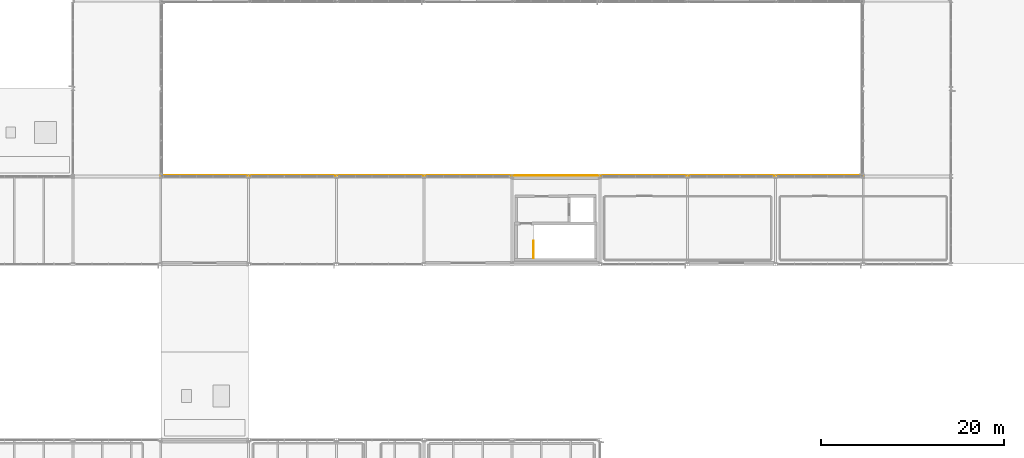
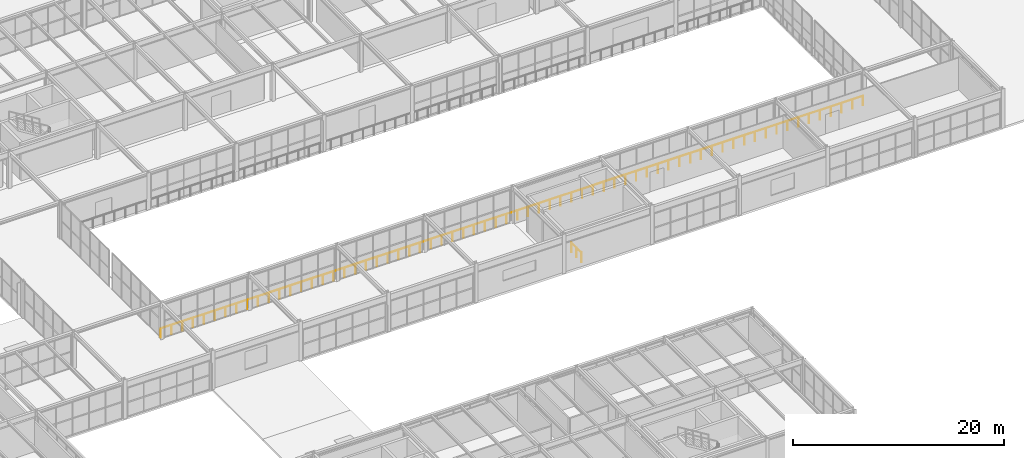
# One storey, part 162 of 170: 2 railings.
"""IFC4 building model written with IfcOpenShell, lengths in metres."""

from ifc_helpers import new_model, si_unit, direction, frame, origin, origin_2d, place, context, subcontext, project, spatial, circle, extrude, material, type_object, element, save


model = new_model("IFC4")

# Units and contexts
model_context = context("Model", 3, precision=1e-05, world=origin(), true_north=direction((0.0, 1.0)))
body_context = subcontext(model_context, "Body", "Model", "MODEL_VIEW")
ifc_project = project(units=[si_unit("LENGTHUNIT", "METRE"), si_unit("AREAUNIT", "SQUARE_METRE"), si_unit("VOLUMEUNIT", "CUBIC_METRE"), si_unit("PLANEANGLEUNIT", "RADIAN"), si_unit("MASSUNIT", "GRAM", prefix="KILO")], contexts=[model_context])

# Site, building, storey
site_placement = place(None, origin())
site = spatial("IfcSite", under=ifc_project, at=site_placement, CompositionType="ELEMENT")
building_placement = place(site_placement, origin())
building = spatial("IfcBuilding", under=site, at=building_placement, Name="Coralgate Yard Interchange", CompositionType="ELEMENT")
storey_placement = place(building_placement, frame((0.0, 0.0, 6.0)))
storey = spatial("IfcBuildingStorey", under=building, at=storey_placement, Name="L01", CompositionType="ELEMENT", Elevation=6.0)

# Railings
ifc_material = material(Name="Grade 316 marine stainless steel and toughened glass balustrade", Category="steel")
railing_type = type_object("IfcRailingType", Name="RLG-GD1100", PredefinedType="BALUSTRADE", material=ifc_material)
railing_1_placement = place(storey_placement, frame((88.75, 39.050048828125, 0.0)))
element("IfcRailing", 1, at=railing_1_placement, inside=storey, type_object=railing_type, Name="L01 ST-06 top well guard 1", PredefinedType="BALUSTRADE", context=body_context, shape_type="SweptSolid", body=[
    extrude(circle(Radius=0.02392578125, at=origin_2d()), frame((0.0, 0.0, 1.076171875), z_axis=(0.0, 1.0, 0.0), x_axis=(-1.0, 0.0, 0.0)), (0.0, 0.0, 1.0), 1.909912109375),
    extrude(circle(Radius=0.02099609375, at=origin_2d()), origin(), (0.0, 0.0, 1.0), 1.051513671875),
    extrude(circle(Radius=0.02099609375, at=origin_2d()), frame((0.0, 0.955078125, 0.0)), (0.0, 0.0, 1.0), 1.051513671875),
    extrude(circle(Radius=0.02099609375, at=origin_2d()), frame((0.0, 1.909912109375, 0.0)), (0.0, 0.0, 1.0), 1.051513671875),
])
railing_2_placement = place(storey_placement, frame((48.0, 48.1201171875, 0.0)))
element("IfcRailing", 2, at=railing_2_placement, inside=storey, type_object=railing_type, Name="L01 concourse mezzanine south balustrade", PredefinedType="BALUSTRADE", context=body_context, shape_type="SweptSolid", body=[
    extrude(circle(Radius=0.02392578125, at=origin_2d()), frame((0.0, 0.0, 1.0810546875), z_axis=(1.0, 0.0, 0.0), x_axis=(0.0, 1.0, 0.0)), (0.0, 0.0, 1.0), 76.800048828125),
    extrude(circle(Radius=0.02099609375, at=origin_2d()), origin(), (0.0, 0.0, 1.0), 1.056396484375),
    extrude(circle(Radius=0.02099609375, at=origin_2d()), frame((1.181640625, 0.0, 0.0)), (0.0, 0.0, 1.0), 1.056396484375),
    extrude(circle(Radius=0.02099609375, at=origin_2d()), frame((2.363037109375, 0.0, 0.0)), (0.0, 0.0, 1.0), 1.056396484375),
    extrude(circle(Radius=0.02099609375, at=origin_2d()), frame((3.544677734375, 0.0, 0.0)), (0.0, 0.0, 1.0), 1.056396484375),
    extrude(circle(Radius=0.02099609375, at=origin_2d()), frame((4.72607421875, 0.0, 0.0)), (0.0, 0.0, 1.0), 1.056396484375),
    extrude(circle(Radius=0.02099609375, at=origin_2d()), frame((5.90771484375, 0.0, 0.0)), (0.0, 0.0, 1.0), 1.056396484375),
    extrude(circle(Radius=0.02099609375, at=origin_2d()), frame((7.08935546875, 0.0, 0.0)), (0.0, 0.0, 1.0), 1.056396484375),
    extrude(circle(Radius=0.02099609375, at=origin_2d()), frame((8.270751953125, 0.0, 0.0)), (0.0, 0.0, 1.0), 1.056396484375),
    extrude(circle(Radius=0.02099609375, at=origin_2d()), frame((9.452392578125, 0.0, 0.0)), (0.0, 0.0, 1.0), 1.056396484375),
    extrude(circle(Radius=0.02099609375, at=origin_2d()), frame((10.6337890625, 0.0, 0.0)), (0.0, 0.0, 1.0), 1.056396484375),
    extrude(circle(Radius=0.02099609375, at=origin_2d()), frame((11.8154296875, 0.0, 0.0)), (0.0, 0.0, 1.0), 1.056396484375),
    extrude(circle(Radius=0.02099609375, at=origin_2d()), frame((12.996826171875, 0.0, 0.0)), (0.0, 0.0, 1.0), 1.056396484375),
    extrude(circle(Radius=0.02099609375, at=origin_2d()), frame((14.178466796875, 0.0, 0.0)), (0.0, 0.0, 1.0), 1.056396484375),
    extrude(circle(Radius=0.02099609375, at=origin_2d()), frame((15.360107421875, 0.0, 0.0)), (0.0, 0.0, 1.0), 1.056396484375),
    extrude(circle(Radius=0.02099609375, at=origin_2d()), frame((16.54150390625, 0.0, 0.0)), (0.0, 0.0, 1.0), 1.056396484375),
    extrude(circle(Radius=0.02099609375, at=origin_2d()), frame((17.72314453125, 0.0, 0.0)), (0.0, 0.0, 1.0), 1.056396484375),
    extrude(circle(Radius=0.02099609375, at=origin_2d()), frame((18.904541015625, 0.0, 0.0)), (0.0, 0.0, 1.0), 1.056396484375),
    extrude(circle(Radius=0.02099609375, at=origin_2d()), frame((20.086181640625, 0.0, 0.0)), (0.0, 0.0, 1.0), 1.056396484375),
    extrude(circle(Radius=0.02099609375, at=origin_2d()), frame((21.267822265625, 0.0, 0.0)), (0.0, 0.0, 1.0), 1.056396484375),
    extrude(circle(Radius=0.02099609375, at=origin_2d()), frame((22.44921875, 0.0, 0.0)), (0.0, 0.0, 1.0), 1.056396484375),
    extrude(circle(Radius=0.02099609375, at=origin_2d()), frame((23.630859375, 0.0, 0.0)), (0.0, 0.0, 1.0), 1.056396484375),
    extrude(circle(Radius=0.02099609375, at=origin_2d()), frame((24.812255859375, 0.0, 0.0)), (0.0, 0.0, 1.0), 1.056396484375),
    extrude(circle(Radius=0.02099609375, at=origin_2d()), frame((25.993896484375, 0.0, 0.0)), (0.0, 0.0, 1.0), 1.056396484375),
    extrude(circle(Radius=0.02099609375, at=origin_2d()), frame((27.17529296875, 0.0, 0.0)), (0.0, 0.0, 1.0), 1.056396484375),
    extrude(circle(Radius=0.02099609375, at=origin_2d()), frame((28.35693359375, 0.0, 0.0)), (0.0, 0.0, 1.0), 1.056396484375),
    extrude(circle(Radius=0.02099609375, at=origin_2d()), frame((29.53857421875, 0.0, 0.0)), (0.0, 0.0, 1.0), 1.056396484375),
    extrude(circle(Radius=0.02099609375, at=origin_2d()), frame((30.719970703125, 0.0, 0.0)), (0.0, 0.0, 1.0), 1.056396484375),
    extrude(circle(Radius=0.02099609375, at=origin_2d()), frame((31.901611328125, 0.0, 0.0)), (0.0, 0.0, 1.0), 1.056396484375),
    extrude(circle(Radius=0.02099609375, at=origin_2d()), frame((33.0830078125, 0.0, 0.0)), (0.0, 0.0, 1.0), 1.056396484375),
    extrude(circle(Radius=0.02099609375, at=origin_2d()), frame((34.2646484375, 0.0, 0.0)), (0.0, 0.0, 1.0), 1.056396484375),
    extrude(circle(Radius=0.02099609375, at=origin_2d()), frame((35.4462890625, 0.0, 0.0)), (0.0, 0.0, 1.0), 1.056396484375),
    extrude(circle(Radius=0.02099609375, at=origin_2d()), frame((36.627685546875, 0.0, 0.0)), (0.0, 0.0, 1.0), 1.056396484375),
    extrude(circle(Radius=0.02099609375, at=origin_2d()), frame((37.809326171875, 0.0, 0.0)), (0.0, 0.0, 1.0), 1.056396484375),
    extrude(circle(Radius=0.02099609375, at=origin_2d()), frame((38.99072265625, 0.0, 0.0)), (0.0, 0.0, 1.0), 1.056396484375),
    extrude(circle(Radius=0.02099609375, at=origin_2d()), frame((40.17236328125, 0.0, 0.0)), (0.0, 0.0, 1.0), 1.056396484375),
    extrude(circle(Radius=0.02099609375, at=origin_2d()), frame((41.353759765625, 0.0, 0.0)), (0.0, 0.0, 1.0), 1.056396484375),
    extrude(circle(Radius=0.02099609375, at=origin_2d()), frame((42.535400390625, 0.0, 0.0)), (0.0, 0.0, 1.0), 1.056396484375),
    extrude(circle(Radius=0.02099609375, at=origin_2d()), frame((43.717041015625, 0.0, 0.0)), (0.0, 0.0, 1.0), 1.056396484375),
    extrude(circle(Radius=0.02099609375, at=origin_2d()), frame((44.8984375, 0.0, 0.0)), (0.0, 0.0, 1.0), 1.056396484375),
    extrude(circle(Radius=0.02099609375, at=origin_2d()), frame((46.080078125, 0.0, 0.0)), (0.0, 0.0, 1.0), 1.056396484375),
    extrude(circle(Radius=0.02099609375, at=origin_2d()), frame((47.261474609375, 0.0, 0.0)), (0.0, 0.0, 1.0), 1.056396484375),
    extrude(circle(Radius=0.02099609375, at=origin_2d()), frame((48.443115234375, 0.0, 0.0)), (0.0, 0.0, 1.0), 1.056396484375),
    extrude(circle(Radius=0.02099609375, at=origin_2d()), frame((49.624755859375, 0.0, 0.0)), (0.0, 0.0, 1.0), 1.056396484375),
    extrude(circle(Radius=0.02099609375, at=origin_2d()), frame((50.80615234375, 0.0, 0.0)), (0.0, 0.0, 1.0), 1.056396484375),
    extrude(circle(Radius=0.02099609375, at=origin_2d()), frame((51.98779296875, 0.0, 0.0)), (0.0, 0.0, 1.0), 1.056396484375),
    extrude(circle(Radius=0.02099609375, at=origin_2d()), frame((53.169189453125, 0.0, 0.0)), (0.0, 0.0, 1.0), 1.056396484375),
    extrude(circle(Radius=0.02099609375, at=origin_2d()), frame((54.350830078125, 0.0, 0.0)), (0.0, 0.0, 1.0), 1.056396484375),
    extrude(circle(Radius=0.02099609375, at=origin_2d()), frame((55.5322265625, 0.0, 0.0)), (0.0, 0.0, 1.0), 1.056396484375),
    extrude(circle(Radius=0.02099609375, at=origin_2d()), frame((56.7138671875, 0.0, 0.0)), (0.0, 0.0, 1.0), 1.056396484375),
    extrude(circle(Radius=0.02099609375, at=origin_2d()), frame((57.8955078125, 0.0, 0.0)), (0.0, 0.0, 1.0), 1.056396484375),
    extrude(circle(Radius=0.02099609375, at=origin_2d()), frame((59.076904296875, 0.0, 0.0)), (0.0, 0.0, 1.0), 1.056396484375),
    extrude(circle(Radius=0.02099609375, at=origin_2d()), frame((60.258544921875, 0.0, 0.0)), (0.0, 0.0, 1.0), 1.056396484375),
    extrude(circle(Radius=0.02099609375, at=origin_2d()), frame((61.43994140625, 0.0, 0.0)), (0.0, 0.0, 1.0), 1.056396484375),
    extrude(circle(Radius=0.02099609375, at=origin_2d()), frame((62.62158203125, 0.0, 0.0)), (0.0, 0.0, 1.0), 1.056396484375),
    extrude(circle(Radius=0.02099609375, at=origin_2d()), frame((63.80322265625, 0.0, 0.0)), (0.0, 0.0, 1.0), 1.056396484375),
    extrude(circle(Radius=0.02099609375, at=origin_2d()), frame((64.984619140625, 0.0, 0.0)), (0.0, 0.0, 1.0), 1.056396484375),
    extrude(circle(Radius=0.02099609375, at=origin_2d()), frame((66.166259765625, 0.0, 0.0)), (0.0, 0.0, 1.0), 1.056396484375),
    extrude(circle(Radius=0.02099609375, at=origin_2d()), frame((67.34765625, 0.0, 0.0)), (0.0, 0.0, 1.0), 1.056396484375),
    extrude(circle(Radius=0.02099609375, at=origin_2d()), frame((68.529296875, 0.0, 0.0)), (0.0, 0.0, 1.0), 1.056396484375),
    extrude(circle(Radius=0.02099609375, at=origin_2d()), frame((69.710693359375, 0.0, 0.0)), (0.0, 0.0, 1.0), 1.056396484375),
    extrude(circle(Radius=0.02099609375, at=origin_2d()), frame((70.892333984375, 0.0, 0.0)), (0.0, 0.0, 1.0), 1.056396484375),
    extrude(circle(Radius=0.02099609375, at=origin_2d()), frame((72.073974609375, 0.0, 0.0)), (0.0, 0.0, 1.0), 1.056396484375),
    extrude(circle(Radius=0.02099609375, at=origin_2d()), frame((73.25537109375, 0.0, 0.0)), (0.0, 0.0, 1.0), 1.056396484375),
    extrude(circle(Radius=0.02099609375, at=origin_2d()), frame((74.43701171875, 0.0, 0.0)), (0.0, 0.0, 1.0), 1.056396484375),
    extrude(circle(Radius=0.02099609375, at=origin_2d()), frame((75.618408203125, 0.0, 0.0)), (0.0, 0.0, 1.0), 1.056396484375),
    extrude(circle(Radius=0.02099609375, at=origin_2d()), frame((76.800048828125, 0.0, 0.0)), (0.0, 0.0, 1.0), 1.056396484375),
])

save(model, "model.ifc")
